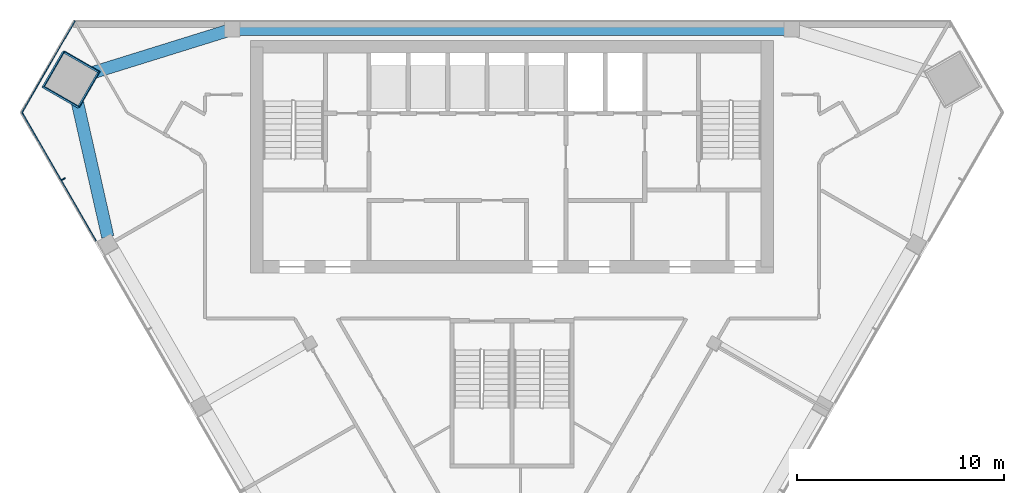
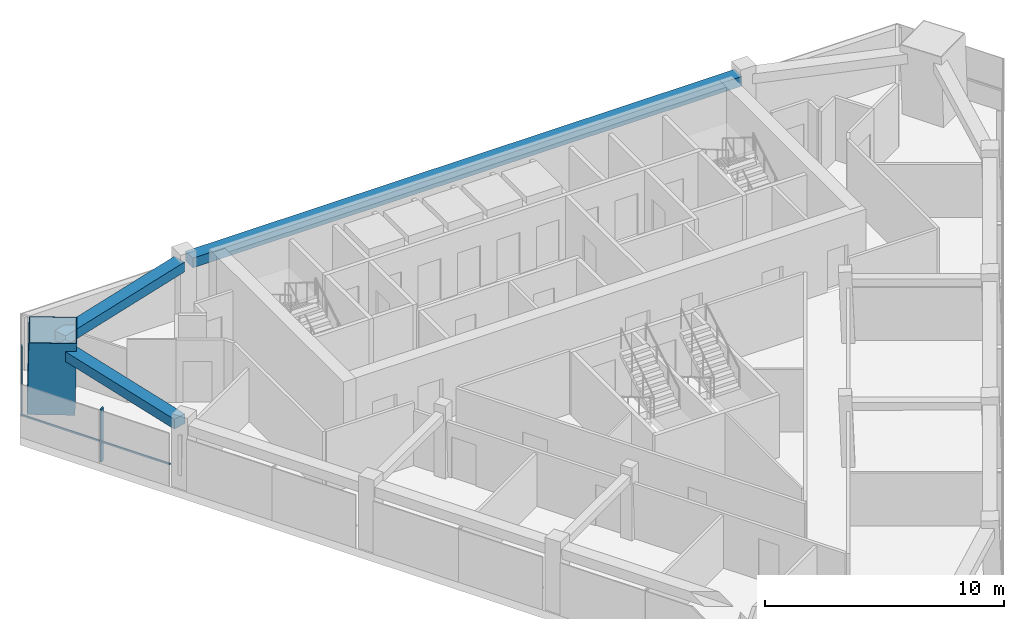
# One storey, part 5 of 12: 4 members, 3 beams, 2 elements without a shape of their own.
"""IFC4 building model written with IfcOpenShell, lengths in metres."""

from ifc_helpers import new_model, si_unit, direction, frame, origin, origin_2d, place, context, subcontext, project, spatial, rectangle, hollow_rectangle, extrude, material, layer, layer_set, material_profile, profile_set, type_object, element, aggregate, save


model = new_model("IFC4")

# Units and contexts
model_context = context("Model", 3, precision=1e-05, world=origin(), true_north=direction((0.0, 1.0)))
body_context = subcontext(model_context, "Body", "Model", "MODEL_VIEW")
ifc_project = project(units=[si_unit("LENGTHUNIT", "METRE"), si_unit("AREAUNIT", "SQUARE_METRE"), si_unit("VOLUMEUNIT", "CUBIC_METRE"), si_unit("PLANEANGLEUNIT", "RADIAN"), si_unit("MASSUNIT", "GRAM", prefix="KILO")], contexts=[model_context])

# Site, building, storey
site_placement = place(None, origin())
site = spatial("IfcSite", under=ifc_project, at=site_placement, CompositionType="ELEMENT")
building_placement = place(site_placement, origin())
building = spatial("IfcBuilding", under=site, at=building_placement, Name="Altiplano Prism Tower", CompositionType="ELEMENT")
storey_placement = place(building_placement, frame((0.0, 0.0, 253.60009765625)))
storey = spatial("IfcBuildingStorey", under=building, at=storey_placement, Name="L65", CompositionType="ELEMENT", Elevation=253.60009765625)

# Curtain wall, member
ifc_material_1 = material(Name="Aluminium and glass", Category="aluminium")
ifc_layer = layer(ifc_material_1, 0.303955078125)
ifc_layer_set = layer_set([ifc_layer], Name="Aluminium and glass")
curtain_wall_type = type_object("IfcCurtainWallType", Name="CW2 lounge-band unitised glazing", PredefinedType="NOTDEFINED", material=ifc_layer_set)
curtain_wall_1_placement = place(storey_placement, origin())
curtain_wall_1 = element("IfcCurtainWall", 1, at=curtain_wall_1_placement, inside=storey, type_object=curtain_wall_type, Name="CW2 curtain wall south-west face L65", PredefinedType="NOTDEFINED")
ifc_material_2 = material(Name="Aluminium", Category="aluminium")
ifc_material_profile_1 = material_profile(ifc_material_2, rectangle(XDim=0.199951171875, YDim=0.06005859375, at=origin_2d()), Name="CW2 mullion 60 x 200")
ifc_profile_set_1 = profile_set([ifc_material_profile_1], Name="Aluminium")
member_type_1 = type_object("IfcMemberType", Name="CW2 mullion 60 x 200", PredefinedType="MULLION", material=ifc_profile_set_1)
member_1_placement = place(storey_placement, frame((63.363037109375, 97.32568359375, 0.0), z_axis=(0.0, 0.0, 1.0), x_axis=(0.866025402484, 0.500000002252, 0.0)))
member_1 = element("IfcMember", 2, at=member_1_placement, type_object=member_type_1, Name="CW2 mullion", PredefinedType="MULLION", context=body_context, shape_type="SweptSolid", body=[
    extrude(rectangle(XDim=0.199951171875, YDim=0.06005859375, at=origin_2d()), origin(), (0.0, 0.0, 1.0), 2.699951171875),
])

curtain_wall_2_placement = place(storey_placement, origin())
curtain_wall_2 = element("IfcCurtainWall", 3, at=curtain_wall_2_placement, inside=storey, type_object=curtain_wall_type, Name="CW2 curtain wall north-west chamfer L65", PredefinedType="NOTDEFINED")
ifc_material_profile_2 = material_profile(ifc_material_2, rectangle(XDim=0.06005859375, YDim=0.080078125, at=origin_2d()), Name="CW2 transom 80 x 60")
ifc_profile_set_2 = profile_set([ifc_material_profile_2], Name="Aluminium")
member_type_2 = type_object("IfcMemberType", Name="CW2 transom 80 x 60", PredefinedType="USERDEFINED", material=ifc_profile_set_2)
member_2_placement = place(storey_placement, frame((63.916015625, 104.962890625, 1.099853515625), z_axis=(-0.500020351761, -0.866013653371, 0.0), x_axis=(0.866013653371, -0.500020351761, 0.0)))
member_2 = element("IfcMember", 4, at=member_2_placement, type_object=member_type_2, Name="CW2 transom", ObjectType="TRANSOM", PredefinedType="USERDEFINED", context=body_context, shape_type="SweptSolid", body=[
    extrude(rectangle(XDim=0.06005859375, YDim=0.080078125, at=origin_2d()), origin(), (0.0, 0.0, 1.0), 5.155029296875),
])
aggregate(curtain_wall_2, [member_2])

# Member
member_3_placement = place(storey_placement, frame((61.33837890625, 100.572509765625, 1.099853515625), z_axis=(0.499993717342, -0.866029031049, 0.0), x_axis=(0.866029031049, 0.499993717342, 0.0)))
member_3 = element("IfcMember", 5, at=member_3_placement, type_object=member_type_2, Name="CW2 transom", ObjectType="TRANSOM", PredefinedType="USERDEFINED", context=body_context, shape_type="SweptSolid", body=[
    extrude(rectangle(XDim=0.06005859375, YDim=0.080078125, at=origin_2d()), origin(), (0.0, 0.0, 1.0), 7.193359375),
])

aggregate(curtain_wall_1, [member_1, member_3])

# Beams
ifc_material_3 = material(Name="Concrete C60/75", Category="concrete")
ifc_material_profile_3 = material_profile(ifc_material_3, rectangle(XDim=0.60009765625, YDim=0.5, at=origin_2d()), Name="Edge beam 600x500")
ifc_profile_set_3 = profile_set([ifc_material_profile_3], Name="Concrete C60/75")
beam_type = type_object("IfcBeamType", Name="Edge beam 600x500", PredefinedType="SPANDREL", material=ifc_profile_set_3)
beam_placement = place(storey_placement, frame((98.2451171875, 104.550048828125, 2.949951171875), z_axis=(-1.0, 0.0, 0.0), x_axis=(0.0, -1.0, 0.0)))
element("IfcBeam", 6, at=beam_placement, inside=storey, type_object=beam_type, Name="Edge beam P01-P04 L66", PredefinedType="SPANDREL", context=body_context, shape_type="SweptSolid", body=[
    extrude(rectangle(XDim=0.60009765625, YDim=0.5, at=origin_2d()), origin(), (0.0, 0.0, 1.0), 26.490234375),
])
for number, where, z_axis, x_axis, name in (
    (7, (71.239501953125, 104.468994140625, 2.949951171875), (-0.954836256441, -0.297132501396, 0.0), (0.297132501396, -0.954836256441, 0.0), "Edge beam P04-M0 L66"),
    (8, (63.89013671875, 101.712158203125, 2.949951171875), (0.220104897393, -0.975476208907, 0.0), (0.975476208907, 0.220104897393, 0.0), "Edge beam M0-P11 L66"),
):
    element("IfcBeam", number, at=place(storey_placement, frame(where, z_axis=z_axis, x_axis=x_axis)), inside=storey, type_object=beam_type, Name=name, PredefinedType="SPANDREL", context=body_context, shape_type="SweptSolid", body=[
        extrude(rectangle(XDim=0.60009765625, YDim=0.5, at=origin_2d()), origin(), (0.0, 0.0, 1.0), 7.3505859375),
    ])

# Member
ifc_material_4 = material(Name="Steel S460", Category="steel")
ifc_material_profile_4 = material_profile(ifc_material_4, hollow_rectangle(XDim=2.0, YDim=2.0, WallThickness=0.0400390625, at=origin_2d()), Name="Mega column tube 2000")
ifc_profile_set_4 = profile_set([ifc_material_profile_4], Name="Steel S460")
member_type_3 = type_object("IfcMemberType", Name="Mega column tube 2000", PredefinedType="POST", material=ifc_profile_set_4)
member_4_placement = place(storey_placement, frame((63.68896484375, 102.11767578125, 0.0), z_axis=(0.028403721265, 0.009287135593, 0.999553389135), x_axis=(-0.866201868799, 0.499294814231, 0.019975258968)))
element("IfcMember", 9, at=member_4_placement, inside=storey, type_object=member_type_3, Name="Mega column tube M0 L65", PredefinedType="POST", context=body_context, shape_type="SweptSolid", body=[
    extrude(hollow_rectangle(XDim=2.0, YDim=2.0, WallThickness=0.0400390625, at=origin_2d()), origin(), (0.0, 0.0, 1.0), 3.6015625),
])

save(model, "model.ifc")
